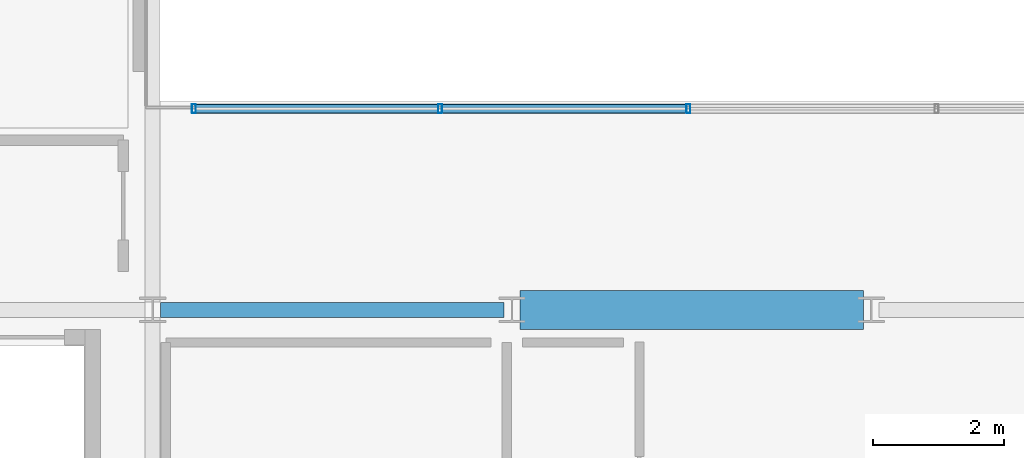
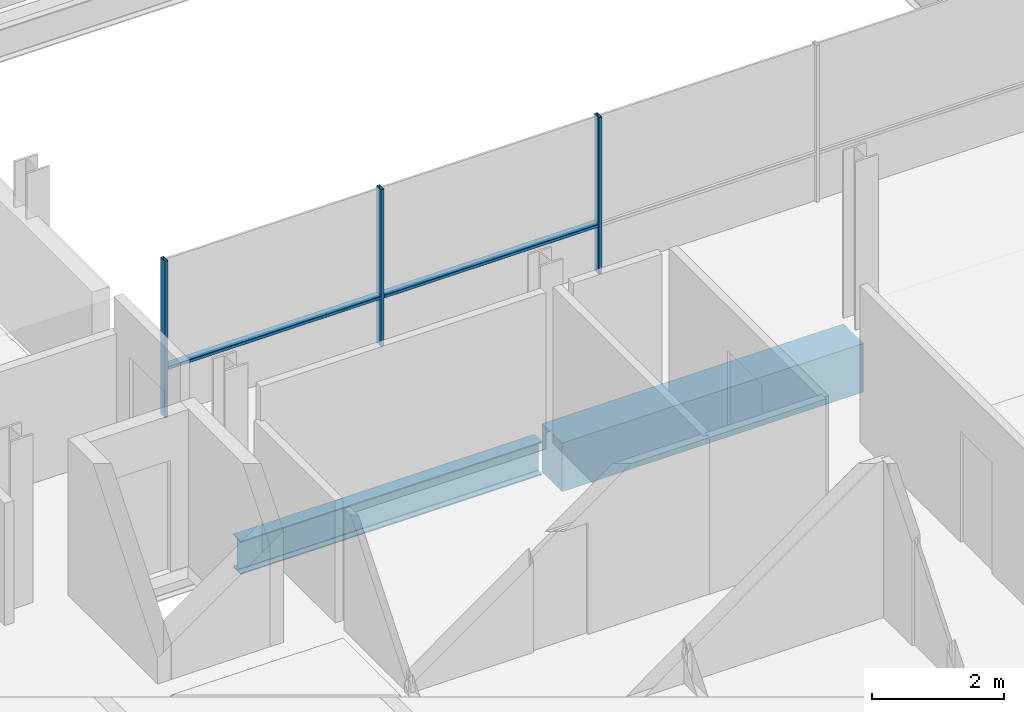
# One storey, part 5 of 38: 5 members, 2 beams, 1 element without a shape of its own.
"""IFC4 building model written with IfcOpenShell, lengths in metres."""

from ifc_helpers import new_model, si_unit, direction, frame, origin, origin_2d, place, context, subcontext, project, spatial, rectangle, hollow_rectangle, i_section, extrude, material, layer, layer_set, material_profile, profile_set, type_object, element, aggregate, save


model = new_model("IFC4")

# Units and contexts
model_context = context("Model", 3, precision=1e-05, world=origin(), true_north=direction((0.0, 1.0)))
body_context = subcontext(model_context, "Body", "Model", "MODEL_VIEW")
ifc_project = project(units=[si_unit("LENGTHUNIT", "METRE"), si_unit("AREAUNIT", "SQUARE_METRE"), si_unit("VOLUMEUNIT", "CUBIC_METRE"), si_unit("PLANEANGLEUNIT", "RADIAN"), si_unit("MASSUNIT", "GRAM", prefix="KILO")], contexts=[model_context])

# Site, building, storey
site_placement = place(None, origin())
site = spatial("IfcSite", under=ifc_project, at=site_placement, CompositionType="ELEMENT")
building_placement = place(site_placement, origin())
building = spatial("IfcBuilding", under=site, at=building_placement, Name="Brevholm Reach", CompositionType="ELEMENT")
storey_placement = place(building_placement, frame((0.0, 0.0, 172.800048828125)))
storey = spatial("IfcBuildingStorey", under=building, at=storey_placement, Name="L52", CompositionType="ELEMENT", Elevation=172.800048828125)

# Beams
ifc_material_1 = material(Name="Concrete C50/60", Category="concrete")
ifc_material_profile_1 = material_profile(ifc_material_1, rectangle(XDim=0.60009765625, YDim=0.89990234375, at=origin_2d()), Name="RC 600x900")
ifc_profile_set_1 = profile_set([ifc_material_profile_1], Name="Concrete C50/60")
beam_type_1 = type_object("IfcBeamType", Name="BM-CB600", PredefinedType="LINTEL", material=ifc_profile_set_1)
beam_1_placement = place(storey_placement, frame((27.3701171875, 10.0, -0.66015625), z_axis=(1.0, 0.0, 0.0), x_axis=(0.0, 1.0, 0.0)))
element("IfcBeam", 1, at=beam_1_placement, inside=storey, type_object=beam_type_1, Name="L52 CB-02 Framing Beam", PredefinedType="LINTEL", context=body_context, shape_type="SweptSolid", body=[
    extrude(rectangle(XDim=0.60009765625, YDim=0.89990234375, at=origin_2d()), origin(), (0.0, 0.0, 1.0), 5.259765625),
])
ifc_material_2 = material(Name="Structural Steel S355J2", Category="steel")
ifc_material_profile_2 = material_profile(ifc_material_2, i_section(OverallWidth=0.22900390625, OverallDepth=0.6123046875, WebThickness=0.011962890625, FlangeThickness=0.01953125, FilletRadius=0.0126953125, at=origin_2d()), Name="UKB 610x229x125")
ifc_profile_set_2 = profile_set([ifc_material_profile_2], Name="Structural Steel S355J2")
beam_type_2 = type_object("IfcBeamType", Name="BM-SP610", PredefinedType="SPANDREL", material=ifc_profile_set_2)
beam_2_placement = place(storey_placement, frame((21.8701171875, 10.0, -0.51611328125), z_axis=(1.0, 0.0, 0.0), x_axis=(0.0, 1.0, 0.0)))
element("IfcBeam", 2, at=beam_2_placement, inside=storey, type_object=beam_type_2, Name="L52 SP-01 Framing Beam", PredefinedType="SPANDREL", context=body_context, shape_type="SweptSolid", body=[
    extrude(i_section(OverallWidth=0.22900390625, OverallDepth=0.6123046875, WebThickness=0.011962890625, FlangeThickness=0.01953125, FilletRadius=0.0126953125, at=origin_2d()), origin(), (0.0, 0.0, 1.0), 5.259765625),
])

# Curtain wall, members
ifc_material_3 = material(Name="Dark Anodised Aluminium 6063-T6 and Solar-Control Glass", Category="aluminium")
ifc_layer = layer(ifc_material_3, 0.139892578125)
ifc_layer_set = layer_set([ifc_layer], Name="Dark Anodised Aluminium 6063-T6 and Solar-Control Glass")
curtain_wall_type = type_object("IfcCurtainWallType", Name="CW-02", PredefinedType="NOTDEFINED", material=ifc_layer_set)
curtain_wall_placement = place(storey_placement, origin())
curtain_wall = element("IfcCurtainWall", 3, at=curtain_wall_placement, inside=storey, type_object=curtain_wall_type, Name="L52 Curtain Wall CW-02", PredefinedType="NOTDEFINED")
ifc_material_4 = material(Name="Dark Anodised Aluminium 6063-T6", Category="aluminium")
ifc_material_profile_3 = material_profile(ifc_material_4, hollow_rectangle(XDim=0.06005859375, YDim=0.139892578125, WallThickness=0.0048828125, InnerFilletRadius=0.0048828125, OuterFilletRadius=0.010009765625, at=origin_2d()), Name="RHS 140x60x5")
ifc_profile_set_3 = profile_set([ifc_material_profile_3], Name="Dark Anodised Aluminium 6063-T6")
member_type_1 = type_object("IfcMemberType", Name="CWM-140", PredefinedType="MULLION", material=ifc_profile_set_3)
member_1_placement = place(storey_placement, frame((22.3798828125, 13.080078125, 0.0), z_axis=(0.0, 0.0, 1.0), x_axis=(1.0, 0.0, 0.0)))
member_1 = element("IfcMember", 4, at=member_1_placement, type_object=member_type_1, Name="CM-140 Mullion 1", PredefinedType="MULLION", context=body_context, shape_type="SweptSolid", body=[
    extrude(hollow_rectangle(XDim=0.06005859375, YDim=0.139892578125, WallThickness=0.0048828125, InnerFilletRadius=0.0048828125, OuterFilletRadius=0.010009765625, at=origin_2d()), origin(), (0.0, 0.0, 1.0), 2.889892578125),
])
member_2_placement = place(storey_placement, frame((26.14990234375, 13.080078125, 0.0), z_axis=(0.0, 0.0, 1.0), x_axis=(1.0, 0.0, 0.0)))
member_2 = element("IfcMember", 5, at=member_2_placement, type_object=member_type_1, Name="CM-140 Mullion 2", PredefinedType="MULLION", context=body_context, shape_type="SweptSolid", body=[
    extrude(hollow_rectangle(XDim=0.06005859375, YDim=0.139892578125, WallThickness=0.0048828125, InnerFilletRadius=0.0048828125, OuterFilletRadius=0.010009765625, at=origin_2d()), origin(), (0.0, 0.0, 1.0), 2.889892578125),
])
member_3_placement = place(storey_placement, frame((29.949951171875, 13.080078125, 0.0), z_axis=(0.0, 0.0, 1.0), x_axis=(1.0, 0.0, 0.0)))
member_3 = element("IfcMember", 6, at=member_3_placement, type_object=member_type_1, Name="CM-140 Mullion 3", PredefinedType="MULLION", context=body_context, shape_type="SweptSolid", body=[
    extrude(hollow_rectangle(XDim=0.06005859375, YDim=0.139892578125, WallThickness=0.0048828125, InnerFilletRadius=0.0048828125, OuterFilletRadius=0.010009765625, at=origin_2d()), origin(), (0.0, 0.0, 1.0), 2.889892578125),
])
ifc_material_5 = material(Name="Dark Anodised Aluminium 6063-T6", Category="aluminium")
ifc_material_profile_4 = material_profile(ifc_material_5, hollow_rectangle(XDim=0.06005859375, YDim=0.139892578125, WallThickness=0.0048828125, InnerFilletRadius=0.0048828125, OuterFilletRadius=0.010009765625, at=origin_2d()), Name="RHS 140x60x5")
ifc_profile_set_4 = profile_set([ifc_material_profile_4], Name="Dark Anodised Aluminium 6063-T6")
member_type_2 = type_object("IfcMemberType", Name="CWT-140", PredefinedType="NOTDEFINED", material=ifc_profile_set_4)
member_4_placement = place(storey_placement, frame((22.409912109375, 13.080078125, 0.89990234375), z_axis=(1.0, 0.0, 0.0), x_axis=(0.0, 0.0, 1.0)))
member_4 = element("IfcMember", 7, at=member_4_placement, type_object=member_type_2, Name="CT-140 Transom 1.1", ObjectType="TRANSOM", PredefinedType="USERDEFINED", context=body_context, shape_type="SweptSolid", body=[
    extrude(hollow_rectangle(XDim=0.06005859375, YDim=0.139892578125, WallThickness=0.0048828125, InnerFilletRadius=0.0048828125, OuterFilletRadius=0.010009765625, at=origin_2d()), origin(), (0.0, 0.0, 1.0), 3.710205078125),
])
member_5_placement = place(storey_placement, frame((26.179931640625, 13.080078125, 0.89990234375), z_axis=(1.0, 0.0, 0.0), x_axis=(0.0, 0.0, 1.0)))
member_5 = element("IfcMember", 8, at=member_5_placement, type_object=member_type_2, Name="CT-140 Transom 2.1", ObjectType="TRANSOM", PredefinedType="USERDEFINED", context=body_context, shape_type="SweptSolid", body=[
    extrude(hollow_rectangle(XDim=0.06005859375, YDim=0.139892578125, WallThickness=0.0048828125, InnerFilletRadius=0.0048828125, OuterFilletRadius=0.010009765625, at=origin_2d()), origin(), (0.0, 0.0, 1.0), 3.739990234375),
])
aggregate(curtain_wall, [member_1, member_2, member_3, member_4, member_5])

save(model, "model.ifc")
